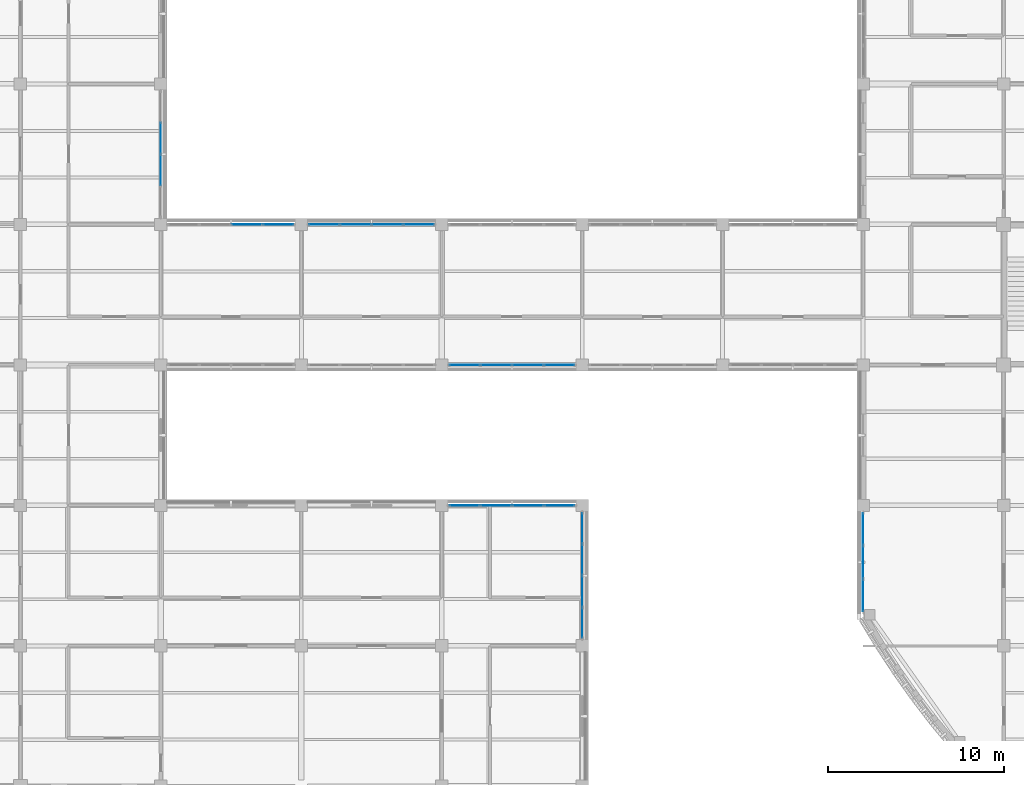
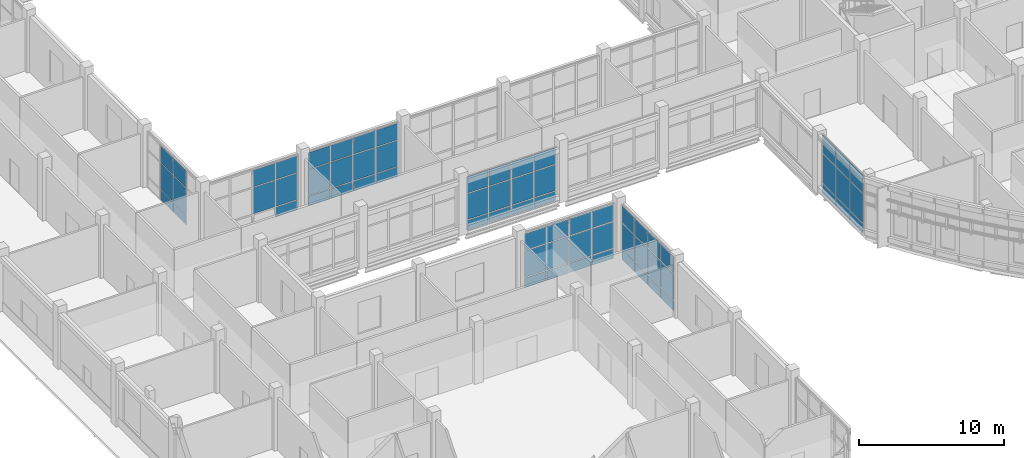
# One storey, part 49 of 105: 68 plates, 7 elements without a shape of their own.
"""IFC4 building model written with IfcOpenShell, lengths in metres."""

from ifc_helpers import new_model, si_unit, derived_unit, direction, frame, origin, origin_2d, place, context, subcontext, project, spatial, rectangle, extrude, material, layer, layer_set, type_object, element, aggregate, save


model = new_model("IFC4")

# Units and contexts
model_context = context("Model", 3, precision=1e-05, world=origin(), true_north=direction((0.0, 1.0)))
body_context = subcontext(model_context, "Body", "Model", "MODEL_VIEW")
ifc_project = project(units=[si_unit("LENGTHUNIT", "METRE"), si_unit("AREAUNIT", "SQUARE_METRE"), si_unit("VOLUMEUNIT", "CUBIC_METRE"), si_unit("PLANEANGLEUNIT", "RADIAN"), si_unit("MASSUNIT", "GRAM", prefix="KILO"), derived_unit("THERMALTRANSMITTANCEUNIT", [(si_unit("MASSUNIT", "GRAM", prefix="KILO"), 1), (si_unit("TIMEUNIT", "SECOND"), -3), (si_unit("THERMODYNAMICTEMPERATUREUNIT", "KELVIN"), -1)])], contexts=[model_context])

# Site, building, storey
site_placement = place(None, origin())
site = spatial("IfcSite", under=ifc_project, at=site_placement, CompositionType="ELEMENT")
building_placement = place(site_placement, origin())
building = spatial("IfcBuilding", under=site, at=building_placement, Name="Veyamyaing Civic Hall", CompositionType="ELEMENT")
storey_placement = place(building_placement, origin())
storey = spatial("IfcBuildingStorey", under=building, at=storey_placement, Name="L00", CompositionType="ELEMENT", Elevation=0.0)

# Curtain wall, plates
ifc_material_1 = material(Name="Anodised aluminium 6063-T6", Category="aluminium")
ifc_layer_1 = layer(ifc_material_1, 0.179931640625, Name="Anodised aluminium 6063-T6")
ifc_layer_set_1 = layer_set([ifc_layer_1], Name="Anodised aluminium 6063-T6")
curtain_wall_type_1 = type_object("IfcCurtainWallType", Name="CW-06", PredefinedType="NOTDEFINED", material=ifc_layer_set_1)
curtain_wall_1_placement = place(storey_placement, origin())
curtain_wall_1 = element("IfcCurtainWall", 1, at=curtain_wall_1_placement, inside=storey, type_object=curtain_wall_type_1, Name="Unitized curtain wall CW-06 L00 W 8.5", PredefinedType="NOTDEFINED")
ifc_material_2 = material(Name="Low-E insulated glass", Category="glass")
ifc_layer_2 = layer(ifc_material_2, 0.028076171875, Name="Low-E insulated glass")
ifc_layer_set_2 = layer_set([ifc_layer_2], Name="Low-E insulated glass")
plate_type_1 = type_object("IfcPlateType", Name="CWP-01", PredefinedType="CURTAIN_PANEL", material=ifc_layer_set_2)
plate_1_placement = place(storey_placement, frame((56.0, 34.868896484375, 0.06494140625), z_axis=(0.0, 0.0, 1.0), x_axis=(0.0, 1.0, 0.0)))
plate_1 = element("IfcPlate", 2, at=plate_1_placement, type_object=plate_type_1, Name="CW-06 panel 1.1", PredefinedType="CURTAIN_PANEL", context=body_context, shape_type="SweptSolid", body=[
    extrude(rectangle(XDim=1.809326171875, YDim=0.028076171875, at=origin_2d()), origin(), (0.0, 0.0, 1.0), 0.802490234375),
])
plate_2_placement = place(storey_placement, frame((56.0, 34.868896484375, 0.9326171875), z_axis=(0.0, 0.0, 1.0), x_axis=(0.0, 1.0, 0.0)))
plate_2 = element("IfcPlate", 3, at=plate_2_placement, type_object=plate_type_1, Name="CW-06 panel 1.2", PredefinedType="CURTAIN_PANEL", context=body_context, shape_type="SweptSolid", body=[
    extrude(rectangle(XDim=1.809326171875, YDim=0.028076171875, at=origin_2d()), origin(), (0.0, 0.0, 1.0), 2.458740234375),
])
plate_3_placement = place(storey_placement, frame((56.0, 34.868896484375, 3.456298828125), z_axis=(0.0, 0.0, 1.0), x_axis=(0.0, 1.0, 0.0)))
plate_3 = element("IfcPlate", 4, at=plate_3_placement, type_object=plate_type_1, Name="CW-06 panel 1.3", PredefinedType="CURTAIN_PANEL", context=body_context, shape_type="SweptSolid", body=[
    extrude(rectangle(XDim=1.809326171875, YDim=0.028076171875, at=origin_2d()), origin(), (0.0, 0.0, 1.0), 1.513671875),
])
plate_4_placement = place(storey_placement, frame((56.0, 36.759521484375, 0.06494140625), z_axis=(0.0, 0.0, 1.0), x_axis=(0.0, 1.0, 0.0)))
plate_4 = element("IfcPlate", 5, at=plate_4_placement, type_object=plate_type_1, Name="CW-06 panel 2.1", PredefinedType="CURTAIN_PANEL", context=body_context, shape_type="SweptSolid", body=[
    extrude(rectangle(XDim=1.842041015625, YDim=0.028076171875, at=origin_2d()), origin(), (0.0, 0.0, 1.0), 0.802490234375),
])
plate_5_placement = place(storey_placement, frame((56.0, 36.759521484375, 0.9326171875), z_axis=(0.0, 0.0, 1.0), x_axis=(0.0, 1.0, 0.0)))
plate_5 = element("IfcPlate", 6, at=plate_5_placement, type_object=plate_type_1, Name="CW-06 panel 2.2", PredefinedType="CURTAIN_PANEL", context=body_context, shape_type="SweptSolid", body=[
    extrude(rectangle(XDim=1.842041015625, YDim=0.028076171875, at=origin_2d()), origin(), (0.0, 0.0, 1.0), 2.458740234375),
])
plate_6_placement = place(storey_placement, frame((56.0, 36.759521484375, 3.456298828125), z_axis=(0.0, 0.0, 1.0), x_axis=(0.0, 1.0, 0.0)))
plate_6 = element("IfcPlate", 7, at=plate_6_placement, type_object=plate_type_1, Name="CW-06 panel 2.3", PredefinedType="CURTAIN_PANEL", context=body_context, shape_type="SweptSolid", body=[
    extrude(rectangle(XDim=1.842041015625, YDim=0.028076171875, at=origin_2d()), origin(), (0.0, 0.0, 1.0), 1.513671875),
])
plate_7_placement = place(storey_placement, frame((56.0, 38.650390625, 0.06494140625), z_axis=(0.0, 0.0, 1.0), x_axis=(0.0, 1.0, 0.0)))
plate_7 = element("IfcPlate", 8, at=plate_7_placement, type_object=plate_type_1, Name="CW-06 panel 3.1", PredefinedType="CURTAIN_PANEL", context=body_context, shape_type="SweptSolid", body=[
    extrude(rectangle(XDim=1.809326171875, YDim=0.028076171875, at=origin_2d()), origin(), (0.0, 0.0, 1.0), 0.802490234375),
])
plate_8_placement = place(storey_placement, frame((56.0, 38.650390625, 0.9326171875), z_axis=(0.0, 0.0, 1.0), x_axis=(0.0, 1.0, 0.0)))
plate_8 = element("IfcPlate", 9, at=plate_8_placement, type_object=plate_type_1, Name="CW-06 panel 3.2", PredefinedType="CURTAIN_PANEL", context=body_context, shape_type="SweptSolid", body=[
    extrude(rectangle(XDim=1.809326171875, YDim=0.028076171875, at=origin_2d()), origin(), (0.0, 0.0, 1.0), 2.458740234375),
])
plate_9_placement = place(storey_placement, frame((56.0, 38.650390625, 3.456298828125), z_axis=(0.0, 0.0, 1.0), x_axis=(0.0, 1.0, 0.0)))
plate_9 = element("IfcPlate", 10, at=plate_9_placement, type_object=plate_type_1, Name="CW-06 panel 3.3", PredefinedType="CURTAIN_PANEL", context=body_context, shape_type="SweptSolid", body=[
    extrude(rectangle(XDim=1.809326171875, YDim=0.028076171875, at=origin_2d()), origin(), (0.0, 0.0, 1.0), 1.513671875),
])
aggregate(curtain_wall_1, [plate_1, plate_2, plate_3, plate_4, plate_5, plate_6, plate_7, plate_8, plate_9])

ifc_layer_3 = layer(ifc_material_1, 0.159912109375, Name="Anodised aluminium 6063-T6")
ifc_layer_set_3 = layer_set([ifc_layer_3], Name="Anodised aluminium 6063-T6")
curtain_wall_type_2 = type_object("IfcCurtainWallType", Name="CW-01", PredefinedType="NOTDEFINED", material=ifc_layer_set_3)
curtain_wall_2_placement = place(storey_placement, origin())
curtain_wall_2 = element("IfcCurtainWall", 11, at=curtain_wall_2_placement, inside=storey, type_object=curtain_wall_type_2, Name="Unitized curtain wall CW-01 L00 E 2.8", PredefinedType="NOTDEFINED")
ifc_layer_4 = layer(ifc_material_2, 0.02392578125, Name="Low-E insulated glass")
ifc_layer_set_4 = layer_set([ifc_layer_4], Name="Low-E insulated glass")
plate_type_2 = type_object("IfcPlateType", Name="CWP-04", PredefinedType="CURTAIN_PANEL", material=ifc_layer_set_4)
plate_10_placement = place(storey_placement, frame((16.0, 59.094970703125, 0.06494140625), z_axis=(0.0, 0.0, 1.0), x_axis=(0.0, 1.0, 0.0)))
plate_10 = element("IfcPlate", 12, at=plate_10_placement, type_object=plate_type_2, Name="CW-01 panel 2.1", PredefinedType="CURTAIN_PANEL", context=body_context, shape_type="SweptSolid", body=[
    extrude(rectangle(XDim=1.7451171875, YDim=0.02392578125, at=origin_2d()), origin(), (0.0, 0.0, 1.0), 0.802490234375),
])
plate_11_placement = place(storey_placement, frame((16.0, 59.094970703125, 0.932373046875), z_axis=(0.0, 0.0, 1.0), x_axis=(0.0, 1.0, 0.0)))
plate_11 = element("IfcPlate", 13, at=plate_11_placement, type_object=plate_type_2, Name="CW-01 panel 2.2", PredefinedType="CURTAIN_PANEL", context=body_context, shape_type="SweptSolid", body=[
    extrude(rectangle(XDim=1.7451171875, YDim=0.02392578125, at=origin_2d()), origin(), (0.0, 0.0, 1.0), 2.216796875),
])
plate_12_placement = place(storey_placement, frame((16.0, 59.094970703125, 3.214111328125), z_axis=(0.0, 0.0, 1.0), x_axis=(0.0, 1.0, 0.0)))
plate_12 = element("IfcPlate", 14, at=plate_12_placement, type_object=plate_type_2, Name="CW-01 panel 2.3", PredefinedType="CURTAIN_PANEL", context=body_context, shape_type="SweptSolid", body=[
    extrude(rectangle(XDim=1.7451171875, YDim=0.02392578125, at=origin_2d()), origin(), (0.0, 0.0, 1.0), 1.39990234375),
])
plate_13_placement = place(storey_placement, frame((16.0, 60.905029296875, 0.06494140625), z_axis=(0.0, 0.0, 1.0), x_axis=(0.0, 1.0, 0.0)))
plate_13 = element("IfcPlate", 15, at=plate_13_placement, type_object=plate_type_2, Name="CW-01 panel 3.1", PredefinedType="CURTAIN_PANEL", context=body_context, shape_type="SweptSolid", body=[
    extrude(rectangle(XDim=1.7451171875, YDim=0.02392578125, at=origin_2d()), origin(), (0.0, 0.0, 1.0), 0.802490234375),
])
plate_14_placement = place(storey_placement, frame((16.0, 60.905029296875, 0.932373046875), z_axis=(0.0, 0.0, 1.0), x_axis=(0.0, 1.0, 0.0)))
plate_14 = element("IfcPlate", 16, at=plate_14_placement, type_object=plate_type_2, Name="CW-01 panel 3.2", PredefinedType="CURTAIN_PANEL", context=body_context, shape_type="SweptSolid", body=[
    extrude(rectangle(XDim=1.7451171875, YDim=0.02392578125, at=origin_2d()), origin(), (0.0, 0.0, 1.0), 2.216796875),
])
plate_15_placement = place(storey_placement, frame((16.0, 60.905029296875, 3.214111328125), z_axis=(0.0, 0.0, 1.0), x_axis=(0.0, 1.0, 0.0)))
plate_15 = element("IfcPlate", 17, at=plate_15_placement, type_object=plate_type_2, Name="CW-01 panel 3.3", PredefinedType="CURTAIN_PANEL", context=body_context, shape_type="SweptSolid", body=[
    extrude(rectangle(XDim=1.7451171875, YDim=0.02392578125, at=origin_2d()), origin(), (0.0, 0.0, 1.0), 1.39990234375),
])
aggregate(curtain_wall_2, [plate_10, plate_11, plate_12, plate_13, plate_14, plate_15])

curtain_wall_3_placement = place(storey_placement, origin())
curtain_wall_3 = element("IfcCurtainWall", 18, at=curtain_wall_3_placement, inside=storey, type_object=curtain_wall_type_2, Name="Unitized curtain wall CW-01 L00 N 3.7", PredefinedType="NOTDEFINED")
plate_16_placement = place(storey_placement, frame((20.905029296875, 56.0, 0.932373046875), z_axis=(0.0, 0.0, 1.0), x_axis=(1.0, 0.0, 0.0)))
plate_16 = element("IfcPlate", 19, at=plate_16_placement, type_object=plate_type_2, Name="CW-01 panel 3.2", PredefinedType="CURTAIN_PANEL", context=body_context, shape_type="SweptSolid", body=[
    extrude(rectangle(XDim=1.7451171875, YDim=0.02392578125, at=origin_2d()), origin(), (0.0, 0.0, 1.0), 2.21337890625),
])
plate_17_placement = place(storey_placement, frame((20.905029296875, 56.0, 3.2109375), z_axis=(0.0, 0.0, 1.0), x_axis=(1.0, 0.0, 0.0)))
plate_17 = element("IfcPlate", 20, at=plate_17_placement, type_object=plate_type_2, Name="CW-01 panel 3.3", PredefinedType="CURTAIN_PANEL", context=body_context, shape_type="SweptSolid", body=[
    extrude(rectangle(XDim=1.7451171875, YDim=0.02392578125, at=origin_2d()), origin(), (0.0, 0.0, 1.0), 1.398193359375),
])
plate_18_placement = place(storey_placement, frame((22.69873046875, 56.0, 0.06494140625), z_axis=(0.0, 0.0, 1.0), x_axis=(1.0, 0.0, 0.0)))
plate_18 = element("IfcPlate", 21, at=plate_18_placement, type_object=plate_type_2, Name="CW-01 panel 4.1", PredefinedType="CURTAIN_PANEL", context=body_context, shape_type="SweptSolid", body=[
    extrude(rectangle(XDim=1.71240234375, YDim=0.02392578125, at=origin_2d()), origin(), (0.0, 0.0, 1.0), 0.802490234375),
])
plate_19_placement = place(storey_placement, frame((22.69873046875, 56.0, 0.932373046875), z_axis=(0.0, 0.0, 1.0), x_axis=(1.0, 0.0, 0.0)))
plate_19 = element("IfcPlate", 22, at=plate_19_placement, type_object=plate_type_2, Name="CW-01 panel 4.2", PredefinedType="CURTAIN_PANEL", context=body_context, shape_type="SweptSolid", body=[
    extrude(rectangle(XDim=1.71240234375, YDim=0.02392578125, at=origin_2d()), origin(), (0.0, 0.0, 1.0), 2.21337890625),
])
plate_20_placement = place(storey_placement, frame((22.69873046875, 56.0, 3.2109375), z_axis=(0.0, 0.0, 1.0), x_axis=(1.0, 0.0, 0.0)))
plate_20 = element("IfcPlate", 23, at=plate_20_placement, type_object=plate_type_2, Name="CW-01 panel 4.3", PredefinedType="CURTAIN_PANEL", context=body_context, shape_type="SweptSolid", body=[
    extrude(rectangle(XDim=1.71240234375, YDim=0.02392578125, at=origin_2d()), origin(), (0.0, 0.0, 1.0), 1.398193359375),
])
aggregate(curtain_wall_3, [plate_16, plate_17, plate_18, plate_19, plate_20])

ifc_layer_5 = layer(ifc_material_1, 0.199951171875, Name="Anodised aluminium 6063-T6")
ifc_layer_set_5 = layer_set([ifc_layer_5], Name="Anodised aluminium 6063-T6")
curtain_wall_type_3 = type_object("IfcCurtainWallType", Name="CW-10", PredefinedType="NOTDEFINED", material=ifc_layer_set_5)
curtain_wall_4_placement = place(storey_placement, origin())
curtain_wall_4 = element("IfcCurtainWall", 24, at=curtain_wall_4_placement, inside=storey, type_object=curtain_wall_type_3, Name="Unitized curtain wall CW-10 L00 N 5.5", PredefinedType="NOTDEFINED")
plate_21_placement = place(storey_placement, frame((33.302490234375, 40.0, 0.070068359375), z_axis=(0.0, 0.0, 1.0), x_axis=(1.0, 0.0, 0.0)))
plate_21 = element("IfcPlate", 25, at=plate_21_placement, type_object=plate_type_2, Name="CW-10 panel 1.1", PredefinedType="CURTAIN_PANEL", context=body_context, shape_type="SweptSolid", body=[
    extrude(rectangle(XDim=1.705078125, YDim=0.02392578125, at=origin_2d()), origin(), (0.0, 0.0, 1.0), 0.794921875),
])
plate_22_placement = place(storey_placement, frame((33.302490234375, 40.0, 0.93505859375), z_axis=(0.0, 0.0, 1.0), x_axis=(1.0, 0.0, 0.0)))
plate_22 = element("IfcPlate", 26, at=plate_22_placement, type_object=plate_type_2, Name="CW-10 panel 1.2", PredefinedType="CURTAIN_PANEL", context=body_context, shape_type="SweptSolid", body=[
    extrude(rectangle(XDim=1.705078125, YDim=0.02392578125, at=origin_2d()), origin(), (0.0, 0.0, 1.0), 2.208251953125),
])
plate_23_placement = place(storey_placement, frame((33.302490234375, 40.0, 3.21337890625), z_axis=(0.0, 0.0, 1.0), x_axis=(1.0, 0.0, 0.0)))
plate_23 = element("IfcPlate", 27, at=plate_23_placement, type_object=plate_type_2, Name="CW-10 panel 1.3", PredefinedType="CURTAIN_PANEL", context=body_context, shape_type="SweptSolid", body=[
    extrude(rectangle(XDim=1.705078125, YDim=0.02392578125, at=origin_2d()), origin(), (0.0, 0.0, 1.0), 1.390625),
])
plate_24_placement = place(storey_placement, frame((35.094970703125, 40.0, 0.070068359375), z_axis=(0.0, 0.0, 1.0), x_axis=(1.0, 0.0, 0.0)))
plate_24 = element("IfcPlate", 28, at=plate_24_placement, type_object=plate_type_2, Name="CW-10 panel 2.1", PredefinedType="CURTAIN_PANEL", context=body_context, shape_type="SweptSolid", body=[
    extrude(rectangle(XDim=1.739990234375, YDim=0.02392578125, at=origin_2d()), origin(), (0.0, 0.0, 1.0), 0.794921875),
])
plate_25_placement = place(storey_placement, frame((35.094970703125, 40.0, 0.93505859375), z_axis=(0.0, 0.0, 1.0), x_axis=(1.0, 0.0, 0.0)))
plate_25 = element("IfcPlate", 29, at=plate_25_placement, type_object=plate_type_2, Name="CW-10 panel 2.2", PredefinedType="CURTAIN_PANEL", context=body_context, shape_type="SweptSolid", body=[
    extrude(rectangle(XDim=1.739990234375, YDim=0.02392578125, at=origin_2d()), origin(), (0.0, 0.0, 1.0), 2.208251953125),
])
plate_26_placement = place(storey_placement, frame((35.094970703125, 40.0, 3.21337890625), z_axis=(0.0, 0.0, 1.0), x_axis=(1.0, 0.0, 0.0)))
plate_26 = element("IfcPlate", 30, at=plate_26_placement, type_object=plate_type_2, Name="CW-10 panel 2.3", PredefinedType="CURTAIN_PANEL", context=body_context, shape_type="SweptSolid", body=[
    extrude(rectangle(XDim=1.739990234375, YDim=0.02392578125, at=origin_2d()), origin(), (0.0, 0.0, 1.0), 1.390625),
])
plate_27_placement = place(storey_placement, frame((36.905029296875, 40.0, 0.070068359375), z_axis=(0.0, 0.0, 1.0), x_axis=(1.0, 0.0, 0.0)))
plate_27 = element("IfcPlate", 31, at=plate_27_placement, type_object=plate_type_2, Name="CW-10 panel 3.1", PredefinedType="CURTAIN_PANEL", context=body_context, shape_type="SweptSolid", body=[
    extrude(rectangle(XDim=1.739990234375, YDim=0.02392578125, at=origin_2d()), origin(), (0.0, 0.0, 1.0), 0.794921875),
])
plate_28_placement = place(storey_placement, frame((36.905029296875, 40.0, 0.93505859375), z_axis=(0.0, 0.0, 1.0), x_axis=(1.0, 0.0, 0.0)))
plate_28 = element("IfcPlate", 32, at=plate_28_placement, type_object=plate_type_2, Name="CW-10 panel 3.2", PredefinedType="CURTAIN_PANEL", context=body_context, shape_type="SweptSolid", body=[
    extrude(rectangle(XDim=1.739990234375, YDim=0.02392578125, at=origin_2d()), origin(), (0.0, 0.0, 1.0), 2.208251953125),
])
plate_29_placement = place(storey_placement, frame((36.905029296875, 40.0, 3.21337890625), z_axis=(0.0, 0.0, 1.0), x_axis=(1.0, 0.0, 0.0)))
plate_29 = element("IfcPlate", 33, at=plate_29_placement, type_object=plate_type_2, Name="CW-10 panel 3.3", PredefinedType="CURTAIN_PANEL", context=body_context, shape_type="SweptSolid", body=[
    extrude(rectangle(XDim=1.739990234375, YDim=0.02392578125, at=origin_2d()), origin(), (0.0, 0.0, 1.0), 1.390625),
])
plate_30_placement = place(storey_placement, frame((38.697509765625, 40.0, 0.070068359375), z_axis=(0.0, 0.0, 1.0), x_axis=(1.0, 0.0, 0.0)))
plate_30 = element("IfcPlate", 34, at=plate_30_placement, type_object=plate_type_2, Name="CW-10 panel 4.1", PredefinedType="CURTAIN_PANEL", context=body_context, shape_type="SweptSolid", body=[
    extrude(rectangle(XDim=1.705078125, YDim=0.02392578125, at=origin_2d()), origin(), (0.0, 0.0, 1.0), 0.794921875),
])
plate_31_placement = place(storey_placement, frame((38.697509765625, 40.0, 0.93505859375), z_axis=(0.0, 0.0, 1.0), x_axis=(1.0, 0.0, 0.0)))
plate_31 = element("IfcPlate", 35, at=plate_31_placement, type_object=plate_type_2, Name="CW-10 panel 4.2", PredefinedType="CURTAIN_PANEL", context=body_context, shape_type="SweptSolid", body=[
    extrude(rectangle(XDim=1.705078125, YDim=0.02392578125, at=origin_2d()), origin(), (0.0, 0.0, 1.0), 2.208251953125),
])
plate_32_placement = place(storey_placement, frame((38.697509765625, 40.0, 3.21337890625), z_axis=(0.0, 0.0, 1.0), x_axis=(1.0, 0.0, 0.0)))
plate_32 = element("IfcPlate", 36, at=plate_32_placement, type_object=plate_type_2, Name="CW-10 panel 4.3", PredefinedType="CURTAIN_PANEL", context=body_context, shape_type="SweptSolid", body=[
    extrude(rectangle(XDim=1.705078125, YDim=0.02392578125, at=origin_2d()), origin(), (0.0, 0.0, 1.0), 1.390625),
])
aggregate(curtain_wall_4, [plate_21, plate_22, plate_23, plate_24, plate_25, plate_26, plate_27, plate_28, plate_29, plate_30, plate_31, plate_32])

curtain_wall_5_placement = place(storey_placement, origin())
curtain_wall_5 = element("IfcCurtainWall", 37, at=curtain_wall_5_placement, inside=storey, type_object=curtain_wall_type_3, Name="Unitized curtain wall CW-10 L00 E 5.5", PredefinedType="NOTDEFINED")
plate_33_placement = place(storey_placement, frame((40.0, 33.302490234375, 0.070068359375), z_axis=(0.0, 0.0, 1.0), x_axis=(0.0, 1.0, 0.0)))
plate_33 = element("IfcPlate", 38, at=plate_33_placement, type_object=plate_type_2, Name="CW-10 panel 1.1", PredefinedType="CURTAIN_PANEL", context=body_context, shape_type="SweptSolid", body=[
    extrude(rectangle(XDim=1.705078125, YDim=0.02392578125, at=origin_2d()), origin(), (0.0, 0.0, 1.0), 0.794921875),
])
plate_34_placement = place(storey_placement, frame((40.0, 33.302490234375, 0.93505859375), z_axis=(0.0, 0.0, 1.0), x_axis=(0.0, 1.0, 0.0)))
plate_34 = element("IfcPlate", 39, at=plate_34_placement, type_object=plate_type_2, Name="CW-10 panel 1.2", PredefinedType="CURTAIN_PANEL", context=body_context, shape_type="SweptSolid", body=[
    extrude(rectangle(XDim=1.705078125, YDim=0.02392578125, at=origin_2d()), origin(), (0.0, 0.0, 1.0), 2.208251953125),
])
plate_35_placement = place(storey_placement, frame((40.0, 33.302490234375, 3.21337890625), z_axis=(0.0, 0.0, 1.0), x_axis=(0.0, 1.0, 0.0)))
plate_35 = element("IfcPlate", 40, at=plate_35_placement, type_object=plate_type_2, Name="CW-10 panel 1.3", PredefinedType="CURTAIN_PANEL", context=body_context, shape_type="SweptSolid", body=[
    extrude(rectangle(XDim=1.705078125, YDim=0.02392578125, at=origin_2d()), origin(), (0.0, 0.0, 1.0), 1.390625),
])
plate_36_placement = place(storey_placement, frame((40.0, 35.094970703125, 0.070068359375), z_axis=(0.0, 0.0, 1.0), x_axis=(0.0, 1.0, 0.0)))
plate_36 = element("IfcPlate", 41, at=plate_36_placement, type_object=plate_type_2, Name="CW-10 panel 2.1", PredefinedType="CURTAIN_PANEL", context=body_context, shape_type="SweptSolid", body=[
    extrude(rectangle(XDim=1.739990234375, YDim=0.02392578125, at=origin_2d()), origin(), (0.0, 0.0, 1.0), 0.794921875),
])
plate_37_placement = place(storey_placement, frame((40.0, 35.094970703125, 0.93505859375), z_axis=(0.0, 0.0, 1.0), x_axis=(0.0, 1.0, 0.0)))
plate_37 = element("IfcPlate", 42, at=plate_37_placement, type_object=plate_type_2, Name="CW-10 panel 2.2", PredefinedType="CURTAIN_PANEL", context=body_context, shape_type="SweptSolid", body=[
    extrude(rectangle(XDim=1.739990234375, YDim=0.02392578125, at=origin_2d()), origin(), (0.0, 0.0, 1.0), 2.208251953125),
])
plate_38_placement = place(storey_placement, frame((40.0, 35.094970703125, 3.21337890625), z_axis=(0.0, 0.0, 1.0), x_axis=(0.0, 1.0, 0.0)))
plate_38 = element("IfcPlate", 43, at=plate_38_placement, type_object=plate_type_2, Name="CW-10 panel 2.3", PredefinedType="CURTAIN_PANEL", context=body_context, shape_type="SweptSolid", body=[
    extrude(rectangle(XDim=1.739990234375, YDim=0.02392578125, at=origin_2d()), origin(), (0.0, 0.0, 1.0), 1.390625),
])
plate_39_placement = place(storey_placement, frame((40.0, 36.905029296875, 0.070068359375), z_axis=(0.0, 0.0, 1.0), x_axis=(0.0, 1.0, 0.0)))
plate_39 = element("IfcPlate", 44, at=plate_39_placement, type_object=plate_type_2, Name="CW-10 panel 3.1", PredefinedType="CURTAIN_PANEL", context=body_context, shape_type="SweptSolid", body=[
    extrude(rectangle(XDim=1.739990234375, YDim=0.02392578125, at=origin_2d()), origin(), (0.0, 0.0, 1.0), 0.794921875),
])
plate_40_placement = place(storey_placement, frame((40.0, 36.905029296875, 0.93505859375), z_axis=(0.0, 0.0, 1.0), x_axis=(0.0, 1.0, 0.0)))
plate_40 = element("IfcPlate", 45, at=plate_40_placement, type_object=plate_type_2, Name="CW-10 panel 3.2", PredefinedType="CURTAIN_PANEL", context=body_context, shape_type="SweptSolid", body=[
    extrude(rectangle(XDim=1.739990234375, YDim=0.02392578125, at=origin_2d()), origin(), (0.0, 0.0, 1.0), 2.208251953125),
])
plate_41_placement = place(storey_placement, frame((40.0, 36.905029296875, 3.21337890625), z_axis=(0.0, 0.0, 1.0), x_axis=(0.0, 1.0, 0.0)))
plate_41 = element("IfcPlate", 46, at=plate_41_placement, type_object=plate_type_2, Name="CW-10 panel 3.3", PredefinedType="CURTAIN_PANEL", context=body_context, shape_type="SweptSolid", body=[
    extrude(rectangle(XDim=1.739990234375, YDim=0.02392578125, at=origin_2d()), origin(), (0.0, 0.0, 1.0), 1.390625),
])
plate_42_placement = place(storey_placement, frame((40.0, 38.697509765625, 0.070068359375), z_axis=(0.0, 0.0, 1.0), x_axis=(0.0, 1.0, 0.0)))
plate_42 = element("IfcPlate", 47, at=plate_42_placement, type_object=plate_type_2, Name="CW-10 panel 4.1", PredefinedType="CURTAIN_PANEL", context=body_context, shape_type="SweptSolid", body=[
    extrude(rectangle(XDim=1.705078125, YDim=0.02392578125, at=origin_2d()), origin(), (0.0, 0.0, 1.0), 0.794921875),
])
plate_43_placement = place(storey_placement, frame((40.0, 38.697509765625, 0.93505859375), z_axis=(0.0, 0.0, 1.0), x_axis=(0.0, 1.0, 0.0)))
plate_43 = element("IfcPlate", 48, at=plate_43_placement, type_object=plate_type_2, Name="CW-10 panel 4.2", PredefinedType="CURTAIN_PANEL", context=body_context, shape_type="SweptSolid", body=[
    extrude(rectangle(XDim=1.705078125, YDim=0.02392578125, at=origin_2d()), origin(), (0.0, 0.0, 1.0), 2.208251953125),
])
plate_44_placement = place(storey_placement, frame((40.0, 38.697509765625, 3.21337890625), z_axis=(0.0, 0.0, 1.0), x_axis=(0.0, 1.0, 0.0)))
plate_44 = element("IfcPlate", 49, at=plate_44_placement, type_object=plate_type_2, Name="CW-10 panel 4.3", PredefinedType="CURTAIN_PANEL", context=body_context, shape_type="SweptSolid", body=[
    extrude(rectangle(XDim=1.705078125, YDim=0.02392578125, at=origin_2d()), origin(), (0.0, 0.0, 1.0), 1.390625),
])
aggregate(curtain_wall_5, [plate_33, plate_34, plate_35, plate_36, plate_37, plate_38, plate_39, plate_40, plate_41, plate_42, plate_43, plate_44])

curtain_wall_6_placement = place(storey_placement, origin())
curtain_wall_6 = element("IfcCurtainWall", 50, at=curtain_wall_6_placement, inside=storey, type_object=curtain_wall_type_2, Name="Unitized curtain wall CW-01 L00 N 4.7", PredefinedType="NOTDEFINED")
ifc_layer_6 = layer(ifc_material_2, 0.0400390625, Name="Low-E insulated glass")
ifc_layer_set_6 = layer_set([ifc_layer_6], Name="Low-E insulated glass")
plate_type_3 = type_object("IfcPlateType", Name="CWP-05", PredefinedType="CURTAIN_PANEL", material=ifc_layer_set_6)
plate_45_placement = place(storey_placement, frame((25.30126953125, 56.0, 0.06494140625), z_axis=(0.0, 0.0, 1.0), x_axis=(1.0, 0.0, 0.0)))
plate_45 = element("IfcPlate", 51, at=plate_45_placement, type_object=plate_type_3, Name="CW-01 panel 1.1", PredefinedType="CURTAIN_PANEL", context=body_context, shape_type="SweptSolid", body=[
    extrude(rectangle(XDim=1.71240234375, YDim=0.0400390625, at=origin_2d()), origin(), (0.0, 0.0, 1.0), 0.802490234375),
])
plate_46_placement = place(storey_placement, frame((25.30126953125, 56.0, 0.9326171875), z_axis=(0.0, 0.0, 1.0), x_axis=(1.0, 0.0, 0.0)))
plate_46 = element("IfcPlate", 52, at=plate_46_placement, type_object=plate_type_3, Name="CW-01 panel 1.2", PredefinedType="CURTAIN_PANEL", context=body_context, shape_type="SweptSolid", body=[
    extrude(rectangle(XDim=1.71240234375, YDim=0.0400390625, at=origin_2d()), origin(), (0.0, 0.0, 1.0), 2.172607421875),
])
plate_47_placement = place(storey_placement, frame((25.30126953125, 56.0, 3.170166015625), z_axis=(0.0, 0.0, 1.0), x_axis=(1.0, 0.0, 0.0)))
plate_47 = element("IfcPlate", 53, at=plate_47_placement, type_object=plate_type_3, Name="CW-01 panel 1.3", PredefinedType="CURTAIN_PANEL", context=body_context, shape_type="SweptSolid", body=[
    extrude(rectangle(XDim=1.71240234375, YDim=0.0400390625, at=origin_2d()), origin(), (0.0, 0.0, 1.0), 1.37890625),
])
plate_48_placement = place(storey_placement, frame((27.094970703125, 56.0, 0.06494140625), z_axis=(0.0, 0.0, 1.0), x_axis=(1.0, 0.0, 0.0)))
plate_48 = element("IfcPlate", 54, at=plate_48_placement, type_object=plate_type_3, Name="CW-01 panel 2.1", PredefinedType="CURTAIN_PANEL", context=body_context, shape_type="SweptSolid", body=[
    extrude(rectangle(XDim=1.7451171875, YDim=0.0400390625, at=origin_2d()), origin(), (0.0, 0.0, 1.0), 0.802490234375),
])
plate_49_placement = place(storey_placement, frame((27.094970703125, 56.0, 0.9326171875), z_axis=(0.0, 0.0, 1.0), x_axis=(1.0, 0.0, 0.0)))
plate_49 = element("IfcPlate", 55, at=plate_49_placement, type_object=plate_type_3, Name="CW-01 panel 2.2", PredefinedType="CURTAIN_PANEL", context=body_context, shape_type="SweptSolid", body=[
    extrude(rectangle(XDim=1.7451171875, YDim=0.0400390625, at=origin_2d()), origin(), (0.0, 0.0, 1.0), 2.172607421875),
])
plate_50_placement = place(storey_placement, frame((27.094970703125, 56.0, 3.170166015625), z_axis=(0.0, 0.0, 1.0), x_axis=(1.0, 0.0, 0.0)))
plate_50 = element("IfcPlate", 56, at=plate_50_placement, type_object=plate_type_3, Name="CW-01 panel 2.3", PredefinedType="CURTAIN_PANEL", context=body_context, shape_type="SweptSolid", body=[
    extrude(rectangle(XDim=1.7451171875, YDim=0.0400390625, at=origin_2d()), origin(), (0.0, 0.0, 1.0), 1.37890625),
])
plate_51_placement = place(storey_placement, frame((28.905029296875, 56.0, 0.06494140625), z_axis=(0.0, 0.0, 1.0), x_axis=(1.0, 0.0, 0.0)))
plate_51 = element("IfcPlate", 57, at=plate_51_placement, type_object=plate_type_3, Name="CW-01 panel 3.1", PredefinedType="CURTAIN_PANEL", context=body_context, shape_type="SweptSolid", body=[
    extrude(rectangle(XDim=1.7451171875, YDim=0.0400390625, at=origin_2d()), origin(), (0.0, 0.0, 1.0), 0.802490234375),
])
plate_52_placement = place(storey_placement, frame((28.905029296875, 56.0, 0.9326171875), z_axis=(0.0, 0.0, 1.0), x_axis=(1.0, 0.0, 0.0)))
plate_52 = element("IfcPlate", 58, at=plate_52_placement, type_object=plate_type_3, Name="CW-01 panel 3.2", PredefinedType="CURTAIN_PANEL", context=body_context, shape_type="SweptSolid", body=[
    extrude(rectangle(XDim=1.7451171875, YDim=0.0400390625, at=origin_2d()), origin(), (0.0, 0.0, 1.0), 2.172607421875),
])
plate_53_placement = place(storey_placement, frame((28.905029296875, 56.0, 3.170166015625), z_axis=(0.0, 0.0, 1.0), x_axis=(1.0, 0.0, 0.0)))
plate_53 = element("IfcPlate", 59, at=plate_53_placement, type_object=plate_type_3, Name="CW-01 panel 3.3", PredefinedType="CURTAIN_PANEL", context=body_context, shape_type="SweptSolid", body=[
    extrude(rectangle(XDim=1.7451171875, YDim=0.0400390625, at=origin_2d()), origin(), (0.0, 0.0, 1.0), 1.37890625),
])
plate_54_placement = place(storey_placement, frame((30.69873046875, 56.0, 0.06494140625), z_axis=(0.0, 0.0, 1.0), x_axis=(1.0, 0.0, 0.0)))
plate_54 = element("IfcPlate", 60, at=plate_54_placement, type_object=plate_type_3, Name="CW-01 panel 4.1", PredefinedType="CURTAIN_PANEL", context=body_context, shape_type="SweptSolid", body=[
    extrude(rectangle(XDim=1.71240234375, YDim=0.0400390625, at=origin_2d()), origin(), (0.0, 0.0, 1.0), 0.802490234375),
])
plate_55_placement = place(storey_placement, frame((30.69873046875, 56.0, 0.9326171875), z_axis=(0.0, 0.0, 1.0), x_axis=(1.0, 0.0, 0.0)))
plate_55 = element("IfcPlate", 61, at=plate_55_placement, type_object=plate_type_3, Name="CW-01 panel 4.2", PredefinedType="CURTAIN_PANEL", context=body_context, shape_type="SweptSolid", body=[
    extrude(rectangle(XDim=1.71240234375, YDim=0.0400390625, at=origin_2d()), origin(), (0.0, 0.0, 1.0), 2.172607421875),
])
plate_56_placement = place(storey_placement, frame((30.69873046875, 56.0, 3.170166015625), z_axis=(0.0, 0.0, 1.0), x_axis=(1.0, 0.0, 0.0)))
plate_56 = element("IfcPlate", 62, at=plate_56_placement, type_object=plate_type_3, Name="CW-01 panel 4.3", PredefinedType="CURTAIN_PANEL", context=body_context, shape_type="SweptSolid", body=[
    extrude(rectangle(XDim=1.71240234375, YDim=0.0400390625, at=origin_2d()), origin(), (0.0, 0.0, 1.0), 1.37890625),
])
aggregate(curtain_wall_6, [plate_45, plate_46, plate_47, plate_48, plate_49, plate_50, plate_51, plate_52, plate_53, plate_54, plate_55, plate_56])

curtain_wall_7_placement = place(storey_placement, origin())
curtain_wall_7 = element("IfcCurtainWall", 63, at=curtain_wall_7_placement, inside=storey, type_object=curtain_wall_type_2, Name="Unitized curtain wall CW-01 L00 S 5.7", PredefinedType="NOTDEFINED")
ifc_layer_7 = layer(ifc_material_2, 0.02197265625, Name="Low-E insulated glass")
ifc_layer_set_7 = layer_set([ifc_layer_7], Name="Low-E insulated glass")
plate_type_4 = type_object("IfcPlateType", Name="CWP-06", PredefinedType="CURTAIN_PANEL", material=ifc_layer_set_7)
plate_57_placement = place(storey_placement, frame((33.30126953125, 48.0, 0.06494140625), z_axis=(0.0, 0.0, 1.0), x_axis=(1.0, 0.0, 0.0)))
plate_57 = element("IfcPlate", 64, at=plate_57_placement, type_object=plate_type_4, Name="CW-01 panel 1.1", PredefinedType="CURTAIN_PANEL", context=body_context, shape_type="SweptSolid", body=[
    extrude(rectangle(XDim=1.71240234375, YDim=0.02197265625, at=origin_2d()), origin(), (0.0, 0.0, 1.0), 0.802490234375),
])
plate_58_placement = place(storey_placement, frame((33.30126953125, 48.0, 0.9326171875), z_axis=(0.0, 0.0, 1.0), x_axis=(1.0, 0.0, 0.0)))
plate_58 = element("IfcPlate", 65, at=plate_58_placement, type_object=plate_type_4, Name="CW-01 panel 1.2", PredefinedType="CURTAIN_PANEL", context=body_context, shape_type="SweptSolid", body=[
    extrude(rectangle(XDim=1.71240234375, YDim=0.02197265625, at=origin_2d()), origin(), (0.0, 0.0, 1.0), 2.172607421875),
])
plate_59_placement = place(storey_placement, frame((33.30126953125, 48.0, 3.170166015625), z_axis=(0.0, 0.0, 1.0), x_axis=(1.0, 0.0, 0.0)))
plate_59 = element("IfcPlate", 66, at=plate_59_placement, type_object=plate_type_4, Name="CW-01 panel 1.3", PredefinedType="CURTAIN_PANEL", context=body_context, shape_type="SweptSolid", body=[
    extrude(rectangle(XDim=1.71240234375, YDim=0.02197265625, at=origin_2d()), origin(), (0.0, 0.0, 1.0), 1.37890625),
])
plate_60_placement = place(storey_placement, frame((35.094970703125, 48.0, 0.06494140625), z_axis=(0.0, 0.0, 1.0), x_axis=(1.0, 0.0, 0.0)))
plate_60 = element("IfcPlate", 67, at=plate_60_placement, type_object=plate_type_4, Name="CW-01 panel 2.1", PredefinedType="CURTAIN_PANEL", context=body_context, shape_type="SweptSolid", body=[
    extrude(rectangle(XDim=1.7451171875, YDim=0.02197265625, at=origin_2d()), origin(), (0.0, 0.0, 1.0), 0.802490234375),
])
plate_61_placement = place(storey_placement, frame((35.094970703125, 48.0, 0.9326171875), z_axis=(0.0, 0.0, 1.0), x_axis=(1.0, 0.0, 0.0)))
plate_61 = element("IfcPlate", 68, at=plate_61_placement, type_object=plate_type_4, Name="CW-01 panel 2.2", PredefinedType="CURTAIN_PANEL", context=body_context, shape_type="SweptSolid", body=[
    extrude(rectangle(XDim=1.7451171875, YDim=0.02197265625, at=origin_2d()), origin(), (0.0, 0.0, 1.0), 2.172607421875),
])
plate_62_placement = place(storey_placement, frame((35.094970703125, 48.0, 3.170166015625), z_axis=(0.0, 0.0, 1.0), x_axis=(1.0, 0.0, 0.0)))
plate_62 = element("IfcPlate", 69, at=plate_62_placement, type_object=plate_type_4, Name="CW-01 panel 2.3", PredefinedType="CURTAIN_PANEL", context=body_context, shape_type="SweptSolid", body=[
    extrude(rectangle(XDim=1.7451171875, YDim=0.02197265625, at=origin_2d()), origin(), (0.0, 0.0, 1.0), 1.37890625),
])
plate_63_placement = place(storey_placement, frame((36.905029296875, 48.0, 0.06494140625), z_axis=(0.0, 0.0, 1.0), x_axis=(1.0, 0.0, 0.0)))
plate_63 = element("IfcPlate", 70, at=plate_63_placement, type_object=plate_type_4, Name="CW-01 panel 3.1", PredefinedType="CURTAIN_PANEL", context=body_context, shape_type="SweptSolid", body=[
    extrude(rectangle(XDim=1.7451171875, YDim=0.02197265625, at=origin_2d()), origin(), (0.0, 0.0, 1.0), 0.802490234375),
])
plate_64_placement = place(storey_placement, frame((36.905029296875, 48.0, 0.9326171875), z_axis=(0.0, 0.0, 1.0), x_axis=(1.0, 0.0, 0.0)))
plate_64 = element("IfcPlate", 71, at=plate_64_placement, type_object=plate_type_4, Name="CW-01 panel 3.2", PredefinedType="CURTAIN_PANEL", context=body_context, shape_type="SweptSolid", body=[
    extrude(rectangle(XDim=1.7451171875, YDim=0.02197265625, at=origin_2d()), origin(), (0.0, 0.0, 1.0), 2.172607421875),
])
plate_65_placement = place(storey_placement, frame((36.905029296875, 48.0, 3.170166015625), z_axis=(0.0, 0.0, 1.0), x_axis=(1.0, 0.0, 0.0)))
plate_65 = element("IfcPlate", 72, at=plate_65_placement, type_object=plate_type_4, Name="CW-01 panel 3.3", PredefinedType="CURTAIN_PANEL", context=body_context, shape_type="SweptSolid", body=[
    extrude(rectangle(XDim=1.7451171875, YDim=0.02197265625, at=origin_2d()), origin(), (0.0, 0.0, 1.0), 1.37890625),
])
plate_66_placement = place(storey_placement, frame((38.69873046875, 48.0, 0.06494140625), z_axis=(0.0, 0.0, 1.0), x_axis=(1.0, 0.0, 0.0)))
plate_66 = element("IfcPlate", 73, at=plate_66_placement, type_object=plate_type_4, Name="CW-01 panel 4.1", PredefinedType="CURTAIN_PANEL", context=body_context, shape_type="SweptSolid", body=[
    extrude(rectangle(XDim=1.71240234375, YDim=0.02197265625, at=origin_2d()), origin(), (0.0, 0.0, 1.0), 0.802490234375),
])
plate_67_placement = place(storey_placement, frame((38.69873046875, 48.0, 0.9326171875), z_axis=(0.0, 0.0, 1.0), x_axis=(1.0, 0.0, 0.0)))
plate_67 = element("IfcPlate", 74, at=plate_67_placement, type_object=plate_type_4, Name="CW-01 panel 4.2", PredefinedType="CURTAIN_PANEL", context=body_context, shape_type="SweptSolid", body=[
    extrude(rectangle(XDim=1.71240234375, YDim=0.02197265625, at=origin_2d()), origin(), (0.0, 0.0, 1.0), 2.172607421875),
])
plate_68_placement = place(storey_placement, frame((38.69873046875, 48.0, 3.170166015625), z_axis=(0.0, 0.0, 1.0), x_axis=(1.0, 0.0, 0.0)))
plate_68 = element("IfcPlate", 75, at=plate_68_placement, type_object=plate_type_4, Name="CW-01 panel 4.3", PredefinedType="CURTAIN_PANEL", context=body_context, shape_type="SweptSolid", body=[
    extrude(rectangle(XDim=1.71240234375, YDim=0.02197265625, at=origin_2d()), origin(), (0.0, 0.0, 1.0), 1.37890625),
])
aggregate(curtain_wall_7, [plate_57, plate_58, plate_59, plate_60, plate_61, plate_62, plate_63, plate_64, plate_65, plate_66, plate_67, plate_68])

save(model, "model.ifc")
